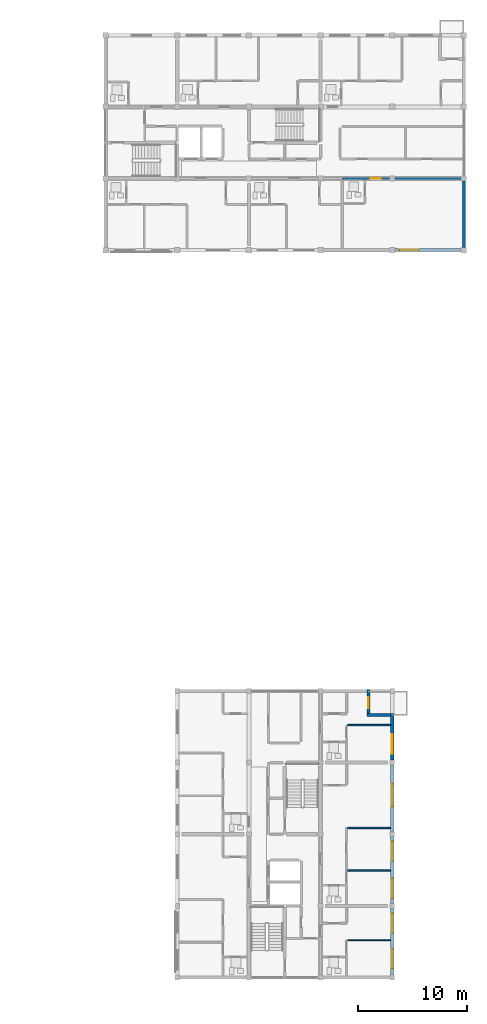
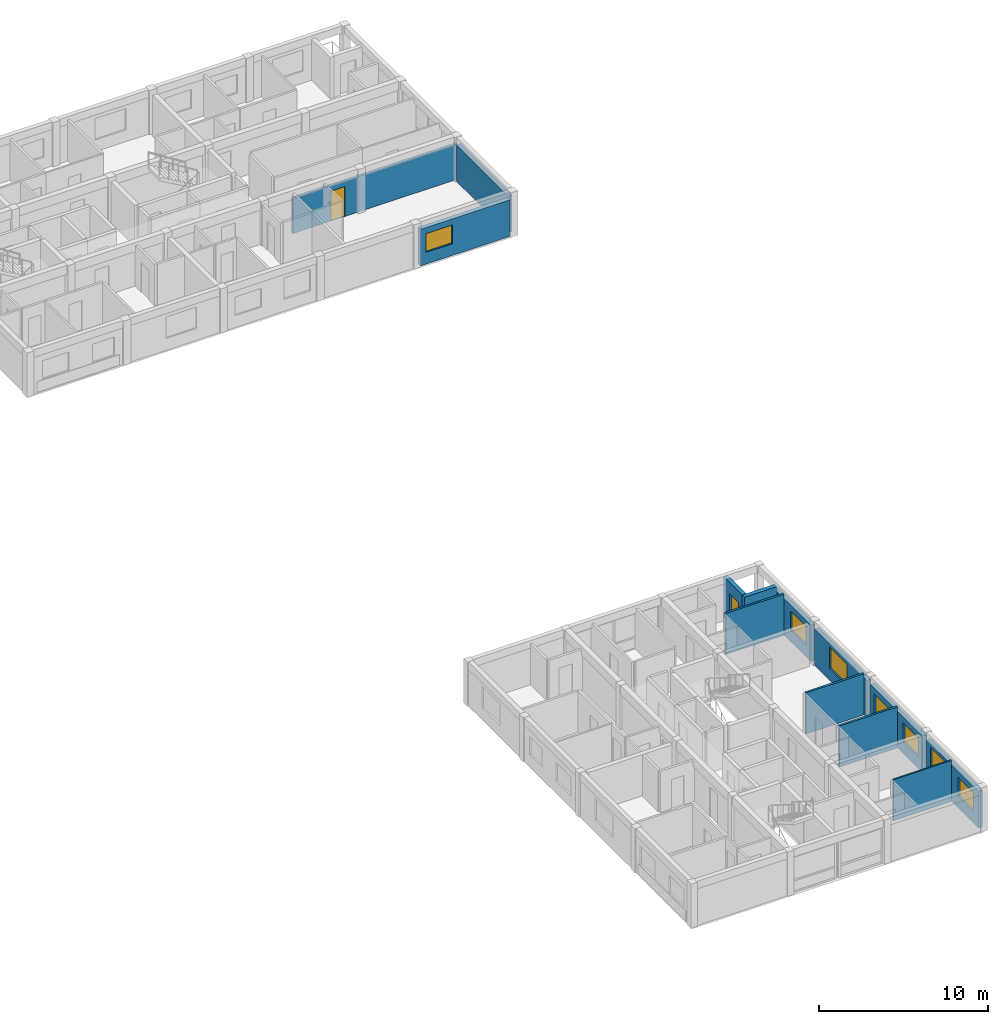
# One storey, part 37 of 46: 13 walls, 7 windows, 2 doors, 9 openings.
"""IFC4 building model written with IfcOpenShell, lengths in metres."""

from ifc_helpers import new_model, si_unit, direction, frame, frame_2d, origin, place, context, subcontext, project, spatial, rectangle, extrude, material, layer, layer_set, type_object, element, fill, save


model = new_model("IFC4")

# Units and contexts
model_context = context("Model", 3, precision=1e-05, world=origin(), true_north=direction((0.0, 1.0)))
body_context = subcontext(model_context, "Body", "Model", "MODEL_VIEW")
ifc_project = project(units=[si_unit("LENGTHUNIT", "METRE"), si_unit("AREAUNIT", "SQUARE_METRE"), si_unit("VOLUMEUNIT", "CUBIC_METRE"), si_unit("PLANEANGLEUNIT", "RADIAN"), si_unit("MASSUNIT", "GRAM", prefix="KILO")], contexts=[model_context])

# Site, building, storey
site_placement = place(None, origin())
site = spatial("IfcSite", under=ifc_project, at=site_placement, CompositionType="ELEMENT")
building_placement = place(site_placement, origin())
building = spatial("IfcBuilding", under=site, at=building_placement, Name="Kernevlak Ridge Housing Community", CompositionType="ELEMENT")
storey_placement = place(building_placement, frame((0.0, 0.0, 27.60009765625)))
storey = spatial("IfcBuildingStorey", under=building, at=storey_placement, Name="L08", CompositionType="ELEMENT", Elevation=27.60009765625)

# Wall, opening, window
ifc_material_1 = material(Name="Concrete block masonry M10", Category="masonry")
ifc_layer_1 = layer(ifc_material_1, 0.280029296875, Name="Concrete block masonry M10")
ifc_layer_set_1 = layer_set([ifc_layer_1], Name="Concrete block masonry M10")
wall_type_1 = type_object("IfcWallType", Name="EW-03", PredefinedType="STANDARD", material=ifc_layer_set_1)
wall_1_placement = place(storey_placement, frame((146.050048828125, 82.60009765625, 0.0), z_axis=(0.0, 0.0, 1.0), x_axis=(1.0, 0.0, 0.0)))
wall_1 = element("IfcWall", 1, at=wall_1_placement, inside=storey, type_object=wall_type_1, Name="Exterior wall EW-03 L08 423", PredefinedType="STANDARD", context=body_context, shape_type="SweptSolid", body=[
    extrude(rectangle(XDim=6.099853515625, YDim=0.280029296875, at=frame_2d((3.0498046875, 0.0))), origin(), (0.0, 0.0, 1.0), 2.64990234375),
])
opening_1_placement = place(wall_1_placement, frame((0.39990234375, 0.0, 0.85009765625)))
opening_1 = element("IfcOpeningElement", 2, at=opening_1_placement, cuts=wall_1, Name="Opening WT-03", PredefinedType="OPENING", context=body_context, shape_type="SweptSolid", body=[
    extrude(rectangle(XDim=1.800048828125, YDim=1.35009765625, at=frame_2d((0.89990234375, 0.675048828125))), frame((0.0, 0.14990234375, 0.0), z_axis=(0.0, -1.0, 0.0), x_axis=(1.0, 0.0, 0.0)), (0.0, 0.0, 1.0), 0.300048828125),
])
ifc_material_2 = material(Name="Aluminium EN AW-6060 anodised and laminated glass", Category="aluminium")
window_type_1 = type_object("IfcWindowType", Name="WT-03", PartitioningType="SINGLE_PANEL", PredefinedType="WINDOW", material=ifc_material_2)
window_1_placement = place(opening_1_placement, origin())
window_1 = element("IfcWindow", 3, at=window_1_placement, inside=storey, type_object=window_type_1, Name="Window WT-03 L08 327", OverallHeight=1.35009765625, OverallWidth=1.800048828125, PartitioningType="SINGLE_PANEL", PredefinedType="WINDOW", context=body_context, shape_type="SweptSolid", body=[
    extrude(rectangle(XDim=1.800048828125, YDim=1.35009765625, at=frame_2d((0.89990234375, 0.675048828125))), frame((0.0, 0.030029296875, 0.0), z_axis=(0.0, -1.0, 0.0), x_axis=(1.0, 0.0, 0.0)), (0.0, 0.0, 1.0), 0.06005859375),
])
fill(opening_1, window_1)

# Wall
wall_2_placement = place(storey_placement, frame((152.39990234375, 82.85009765625, 0.0), z_axis=(0.0, 0.0, 1.0), x_axis=(0.0, 1.0, 0.0)))
element("IfcWall", 4, at=wall_2_placement, inside=storey, type_object=wall_type_1, Name="Exterior wall EW-03 L08 433", PredefinedType="STANDARD", context=body_context, shape_type="SweptSolid", body=[
    extrude(rectangle(XDim=6.099853515625, YDim=0.280029296875, at=frame_2d((3.0498046875, 0.0))), origin(), (0.0, 0.0, 1.0), 2.64990234375),
])

# Wall, openings, windows
wall_3_placement = place(storey_placement, frame((145.800048828125, 15.824951171875, 0.0), z_axis=(0.0, 0.0, 1.0), x_axis=(0.0, 1.0, 0.0)))
wall_3 = element("IfcWall", 5, at=wall_3_placement, inside=storey, type_object=wall_type_1, Name="Exterior wall EW-03 L08 646", PredefinedType="STANDARD", context=body_context, shape_type="SweptSolid", body=[
    extrude(rectangle(XDim=6.150146484375, YDim=0.280029296875, at=frame_2d((3.0751953125, 0.0))), origin(), (0.0, 0.0, 1.0), 2.64990234375),
])
opening_2_placement = place(wall_3_placement, frame((0.60009765625, 0.0, 0.85009765625)))
opening_2 = element("IfcOpeningElement", 6, at=opening_2_placement, cuts=wall_3, Name="Opening WT-03", PredefinedType="OPENING", context=body_context, shape_type="SweptSolid", body=[
    extrude(rectangle(XDim=1.800048828125, YDim=1.35009765625, at=frame_2d((0.89990234375, 0.675048828125))), frame((0.0, 0.14990234375, 0.0), z_axis=(0.0, -1.0, 0.0), x_axis=(1.0, 0.0, 0.0)), (0.0, 0.0, 1.0), 0.300048828125),
])
opening_3_placement = place(wall_3_placement, frame((3.89990234375, 0.0, 0.85009765625)))
opening_3 = element("IfcOpeningElement", 7, at=opening_3_placement, cuts=wall_3, Name="Opening WT-04", PredefinedType="OPENING", context=body_context, shape_type="SweptSolid", body=[
    extrude(rectangle(XDim=1.800048828125, YDim=1.550048828125, at=frame_2d((0.89990234375, 0.77490234375))), frame((0.0, 0.14990234375, 0.0), z_axis=(0.0, -1.0, 0.0), x_axis=(1.0, 0.0, 0.0)), (0.0, 0.0, 1.0), 0.300048828125),
])
window_2_placement = place(opening_2_placement, origin())
window_2 = element("IfcWindow", 8, at=window_2_placement, inside=storey, type_object=window_type_1, Name="Window WT-03 L08 526", OverallHeight=1.35009765625, OverallWidth=1.800048828125, PartitioningType="SINGLE_PANEL", PredefinedType="WINDOW", context=body_context, shape_type="SweptSolid", body=[
    extrude(rectangle(XDim=1.800048828125, YDim=1.35009765625, at=frame_2d((0.89990234375, 0.675048828125))), frame((0.0, 0.030029296875, 0.0), z_axis=(0.0, -1.0, 0.0), x_axis=(1.0, 0.0, 0.0)), (0.0, 0.0, 1.0), 0.06005859375),
])
fill(opening_2, window_2)
window_type_2 = type_object("IfcWindowType", Name="WT-04", PartitioningType="SINGLE_PANEL", PredefinedType="WINDOW", material=ifc_material_2)
window_3_placement = place(opening_3_placement, origin())
window_3 = element("IfcWindow", 9, at=window_3_placement, inside=storey, type_object=window_type_2, Name="Window WT-04 L08 527", OverallHeight=1.550048828125, OverallWidth=1.800048828125, PartitioningType="SINGLE_PANEL", PredefinedType="WINDOW", context=body_context, shape_type="SweptSolid", body=[
    extrude(rectangle(XDim=1.800048828125, YDim=1.550048828125, at=frame_2d((0.89990234375, 0.77490234375))), frame((0.0, 0.030029296875, 0.0), z_axis=(0.0, -1.0, 0.0), x_axis=(1.0, 0.0, 0.0)), (0.0, 0.0, 1.0), 0.06005859375),
])
fill(opening_3, window_3)

wall_4_placement = place(storey_placement, frame((145.800048828125, 22.425048828125, 0.0), z_axis=(0.0, 0.0, 1.0), x_axis=(0.0, 1.0, 0.0)))
wall_4 = element("IfcWall", 10, at=wall_4_placement, inside=storey, type_object=wall_type_1, Name="Exterior wall EW-03 L08 647", PredefinedType="STANDARD", context=body_context, shape_type="SweptSolid", body=[
    extrude(rectangle(XDim=6.14990234375, YDim=0.280029296875, at=frame_2d((3.074951171875, 0.0))), origin(), (0.0, 0.0, 1.0), 2.64990234375),
])
opening_4_placement = place(wall_4_placement, frame((0.5, 0.0, 0.85009765625)))
opening_4 = element("IfcOpeningElement", 11, at=opening_4_placement, cuts=wall_4, Name="Opening WT-03", PredefinedType="OPENING", context=body_context, shape_type="SweptSolid", body=[
    extrude(rectangle(XDim=1.800048828125, YDim=1.35009765625, at=frame_2d((0.89990234375, 0.675048828125))), frame((0.0, 0.14990234375, 0.0), z_axis=(0.0, -1.0, 0.0), x_axis=(1.0, 0.0, 0.0)), (0.0, 0.0, 1.0), 0.300048828125),
])
opening_5_placement = place(wall_4_placement, frame((3.925048828125, 0.0, 0.85009765625)))
opening_5 = element("IfcOpeningElement", 12, at=opening_5_placement, cuts=wall_4, Name="Opening WT-03", PredefinedType="OPENING", context=body_context, shape_type="SweptSolid", body=[
    extrude(rectangle(XDim=1.800048828125, YDim=1.35009765625, at=frame_2d((0.89990234375, 0.675048828125))), frame((0.0, 0.14990234375, 0.0), z_axis=(0.0, -1.0, 0.0), x_axis=(1.0, 0.0, 0.0)), (0.0, 0.0, 1.0), 0.300048828125),
])
window_4_placement = place(opening_4_placement, origin())
window_4 = element("IfcWindow", 13, at=window_4_placement, inside=storey, type_object=window_type_1, Name="Window WT-03 L08 528", OverallHeight=1.35009765625, OverallWidth=1.800048828125, PartitioningType="SINGLE_PANEL", PredefinedType="WINDOW", context=body_context, shape_type="SweptSolid", body=[
    extrude(rectangle(XDim=1.800048828125, YDim=1.35009765625, at=frame_2d((0.89990234375, 0.675048828125))), frame((0.0, 0.030029296875, 0.0), z_axis=(0.0, -1.0, 0.0), x_axis=(1.0, 0.0, 0.0)), (0.0, 0.0, 1.0), 0.06005859375),
])
fill(opening_4, window_4)
window_5_placement = place(opening_5_placement, origin())
window_5 = element("IfcWindow", 14, at=window_5_placement, inside=storey, type_object=window_type_1, Name="Window WT-03 L08 529", OverallHeight=1.35009765625, OverallWidth=1.800048828125, PartitioningType="SINGLE_PANEL", PredefinedType="WINDOW", context=body_context, shape_type="SweptSolid", body=[
    extrude(rectangle(XDim=1.800048828125, YDim=1.35009765625, at=frame_2d((0.89990234375, 0.675048828125))), frame((0.0, 0.030029296875, 0.0), z_axis=(0.0, -1.0, 0.0), x_axis=(1.0, 0.0, 0.0)), (0.0, 0.0, 1.0), 0.06005859375),
])
fill(opening_5, window_5)

# Wall, opening, window
wall_5_placement = place(storey_placement, frame((145.800048828125, 29.02490234375, 0.0), z_axis=(0.0, 0.0, 1.0), x_axis=(0.0, 1.0, 0.0)))
wall_5 = element("IfcWall", 15, at=wall_5_placement, inside=storey, type_object=wall_type_1, Name="Exterior wall EW-03 L08 648", PredefinedType="STANDARD", context=body_context, shape_type="SweptSolid", body=[
    extrude(rectangle(XDim=6.150146484375, YDim=0.280029296875, at=frame_2d((3.0751953125, 0.0))), origin(), (0.0, 0.0, 1.0), 2.64990234375),
])
opening_6_placement = place(wall_5_placement, frame((2.321044921875, 0.0, 0.85009765625)))
opening_6 = element("IfcOpeningElement", 16, at=opening_6_placement, cuts=wall_5, Name="Opening WT-05", PredefinedType="OPENING", context=body_context, shape_type="SweptSolid", body=[
    extrude(rectangle(XDim=2.10009765625, YDim=1.550048828125, at=frame_2d((1.050048828125, 0.77490234375))), frame((0.0, 0.14990234375, 0.0), z_axis=(0.0, -1.0, 0.0), x_axis=(1.0, 0.0, 0.0)), (0.0, 0.0, 1.0), 0.300048828125),
])
window_type_3 = type_object("IfcWindowType", Name="WT-05", PartitioningType="SINGLE_PANEL", PredefinedType="WINDOW", material=ifc_material_2)
window_6_placement = place(opening_6_placement, origin())
window_6 = element("IfcWindow", 17, at=window_6_placement, inside=storey, type_object=window_type_3, Name="Window WT-05 L08 530", OverallHeight=1.550048828125, OverallWidth=2.10009765625, PartitioningType="SINGLE_PANEL", PredefinedType="WINDOW", context=body_context, shape_type="SweptSolid", body=[
    extrude(rectangle(XDim=2.10009765625, YDim=1.550048828125, at=frame_2d((1.050048828125, 0.77490234375))), frame((0.0, 0.030029296875, 0.0), z_axis=(0.0, -1.0, 0.0), x_axis=(1.0, 0.0, 0.0)), (0.0, 0.0, 1.0), 0.06005859375),
])
fill(opening_6, window_6)

wall_6_placement = place(storey_placement, frame((145.800048828125, 35.625, 0.0), z_axis=(0.0, 0.0, 1.0), x_axis=(0.0, 1.0, 0.0)))
wall_6 = element("IfcWall", 18, at=wall_6_placement, inside=storey, type_object=wall_type_1, Name="Exterior wall EW-03 L08 649", PredefinedType="STANDARD", context=body_context, shape_type="SweptSolid", body=[
    extrude(rectangle(XDim=4.31494140625, YDim=0.280029296875, at=frame_2d((2.157470703125, 0.0))), origin(), (0.0, 0.0, 1.0), 2.64990234375),
])
opening_7_placement = place(wall_6_placement, frame((0.60009765625, 0.0, 0.85009765625)))
opening_7 = element("IfcOpeningElement", 19, at=opening_7_placement, cuts=wall_6, Name="Opening WT-03", PredefinedType="OPENING", context=body_context, shape_type="SweptSolid", body=[
    extrude(rectangle(XDim=1.800048828125, YDim=1.35009765625, at=frame_2d((0.89990234375, 0.675048828125))), frame((0.0, 0.14990234375, 0.0), z_axis=(0.0, -1.0, 0.0), x_axis=(1.0, 0.0, 0.0)), (0.0, 0.0, 1.0), 0.300048828125),
])
window_7_placement = place(opening_7_placement, origin())
window_7 = element("IfcWindow", 20, at=window_7_placement, inside=storey, type_object=window_type_1, Name="Window WT-03 L08 531", OverallHeight=1.35009765625, OverallWidth=1.800048828125, PartitioningType="SINGLE_PANEL", PredefinedType="WINDOW", context=body_context, shape_type="SweptSolid", body=[
    extrude(rectangle(XDim=1.800048828125, YDim=1.35009765625, at=frame_2d((0.89990234375, 0.675048828125))), frame((0.0, 0.030029296875, 0.0), z_axis=(0.0, -1.0, 0.0), x_axis=(1.0, 0.0, 0.0)), (0.0, 0.0, 1.0), 0.06005859375),
])
fill(opening_7, window_7)

# Wall
wall_7_placement = place(storey_placement, frame((145.659912109375, 39.800048828125, 0.0), z_axis=(0.0, 0.0, 1.0), x_axis=(-1.0, 0.0, 0.0)))
element("IfcWall", 21, at=wall_7_placement, inside=storey, type_object=wall_type_1, Name="Exterior wall EW-03 L08 650", PredefinedType="STANDARD", context=body_context, shape_type="SweptSolid", body=[
    extrude(rectangle(XDim=2.199951171875, YDim=0.280029296875, at=frame_2d((1.10009765625, 0.0))), origin(), (0.0, 0.0, 1.0), 2.969970703125),
])

# Wall, opening, door
wall_8_placement = place(storey_placement, frame((143.60009765625, 39.93994140625, 0.0), z_axis=(0.0, 0.0, 1.0), x_axis=(0.0, 1.0, 0.0)))
wall_8 = element("IfcWall", 22, at=wall_8_placement, inside=storey, type_object=wall_type_1, Name="Exterior wall EW-03 L08 651", PredefinedType="STANDARD", context=body_context, shape_type="SweptSolid", body=[
    extrude(rectangle(XDim=2.199951171875, YDim=0.280029296875, at=frame_2d((1.10009765625, 0.0))), origin(), (0.0, 0.0, 1.0), 2.969970703125),
])
opening_8_placement = place(wall_8_placement, frame((0.449951171875, 0.0, 0.0)))
opening_8 = element("IfcOpeningElement", 23, at=opening_8_placement, cuts=wall_8, Name="Opening E353", PredefinedType="OPENING", context=body_context, shape_type="SweptSolid", body=[
    extrude(rectangle(XDim=1.02001953125, YDim=2.159912109375, at=frame_2d((0.510009765625, 1.080078125))), frame((0.0, 0.14990234375, 0.0), z_axis=(0.0, -1.0, 0.0), x_axis=(1.0, 0.0, 0.0)), (0.0, 0.0, 1.0), 0.300048828125),
])
ifc_material_3 = material(Name="Aluminium EN AW-6060 and laminated safety glass", Category="aluminium")
door_type_1 = type_object("IfcDoorType", Name="DT-33", OperationType="NOTDEFINED", PredefinedType="DOOR", material=ifc_material_3)
door_1_placement = place(opening_8_placement, origin())
door_1 = element("IfcDoor", 24, at=door_1_placement, inside=storey, type_object=door_type_1, Name="Flat C0823 corner balcony glazed door E353", OperationType="SINGLE_SWING_RIGHT", OverallHeight=2.159912109375, OverallWidth=1.02001953125, PredefinedType="DOOR", context=body_context, shape_type="SweptSolid", body=[
    extrude(rectangle(XDim=1.02001953125, YDim=2.159912109375, at=frame_2d((0.510009765625, 1.080078125))), frame((0.0, 0.02490234375, 0.0), z_axis=(0.0, -1.0, 0.0), x_axis=(1.0, 0.0, 0.0)), (0.0, 0.0, 1.0), 0.050048828125),
])
fill(opening_8, door_1)

ifc_layer_2 = layer(ifc_material_1, 0.175048828125, Name="Concrete block masonry M10")
ifc_layer_set_2 = layer_set([ifc_layer_2], Name="Concrete block masonry M10")
wall_type_2 = type_object("IfcWallType", Name="PW-02", PredefinedType="PARTITIONING", material=ifc_layer_set_2)
wall_9_placement = place(storey_placement, frame((141.199951171875, 89.199951171875, 0.0), z_axis=(0.0, 0.0, 1.0), x_axis=(1.0, 0.0, 0.0)))
wall_9 = element("IfcWall", 25, at=wall_9_placement, inside=storey, type_object=wall_type_2, Name="Interior wall PW-02 WAL-INT-L08-1677", PredefinedType="PARTITIONING", context=body_context, shape_type="SweptSolid", body=[
    extrude(rectangle(XDim=11.199951171875, YDim=0.175048828125, at=frame_2d((5.60009765625, 0.0))), origin(), (0.0, 0.0, 1.0), 2.5498046875),
])
opening_9_placement = place(wall_9_placement, frame((2.60009765625, 0.0, 0.0)))
opening_9 = element("IfcOpeningElement", 26, at=opening_9_placement, cuts=wall_9, Name="Opening D848", PredefinedType="OPENING", context=body_context, shape_type="SweptSolid", body=[
    extrude(rectangle(XDim=0.949951171875, YDim=2.159912109375, at=frame_2d((0.47509765625, 1.080078125))), frame((0.0, 0.097412109375, 0.0), z_axis=(0.0, -1.0, 0.0), x_axis=(1.0, 0.0, 0.0)), (0.0, 0.0, 1.0), 0.195068359375),
])
ifc_material_4 = material(Name="Hardwood timber solid-core fire leaf", Category="wood")
door_type_2 = type_object("IfcDoorType", Name="DT-02", OperationType="NOTDEFINED", PredefinedType="DOOR", material=ifc_material_4)
door_2_placement = place(opening_9_placement, origin())
door_2 = element("IfcDoor", 27, at=door_2_placement, inside=storey, type_object=door_type_2, Name="Flat B0813 entrance fire door D848", OperationType="SINGLE_SWING_RIGHT", OverallHeight=2.159912109375, OverallWidth=0.949951171875, PredefinedType="DOOR", context=body_context, shape_type="SweptSolid", body=[
    extrude(rectangle(XDim=0.949951171875, YDim=2.159912109375, at=frame_2d((0.47509765625, 1.080078125))), frame((0.0, 0.02490234375, 0.0), z_axis=(0.0, -1.0, 0.0), x_axis=(1.0, 0.0, 0.0)), (0.0, 0.0, 1.0), 0.050048828125),
])
fill(opening_9, door_2)

# Walls
ifc_layer_3 = layer(ifc_material_1, 0.14501953125, Name="Concrete block masonry M10")
ifc_layer_set_3 = layer_set([ifc_layer_3], Name="Concrete block masonry M10")
wall_type_3 = type_object("IfcWallType", Name="PW-03", PredefinedType="PARTITIONING", material=ifc_layer_set_3)
for number, where, z_axis, x_axis, name in (
    (28, (141.6826171875, 25.449951171875, 0.0), (0.0, 0.0, 1.0), (1.0, 0.0, 0.0), "Interior wall PW-03 WAL-INT-L08-2658"),
    (29, (141.6826171875, 29.39208984375, 0.0), (0.0, 0.0, 1.0), (1.0, 0.0, 0.0), "Interior wall PW-03 WAL-INT-L08-2660"),
):
    element("IfcWall", number, at=place(storey_placement, frame(where, z_axis=z_axis, x_axis=x_axis)), inside=storey, type_object=wall_type_3, Name=name, PredefinedType="PARTITIONING", context=body_context, shape_type="SweptSolid", body=[
        extrude(rectangle(XDim=3.96728515625, YDim=0.14501953125, at=frame_2d((1.983642578125, 0.0))), origin(), (0.0, 0.0, 1.0), 2.969970703125),
    ])
wall_10_placement = place(storey_placement, frame((141.679931640625, 38.85009765625, 0.0), z_axis=(0.0, 0.0, 1.0), x_axis=(1.0, 0.0, 0.0)))
element("IfcWall", 30, at=wall_10_placement, inside=storey, type_object=wall_type_3, Name="Interior wall PW-03 WAL-INT-L08-2667", PredefinedType="PARTITIONING", context=body_context, shape_type="SweptSolid", body=[
    extrude(rectangle(XDim=3.969970703125, YDim=0.14501953125, at=frame_2d((1.98486328125, 0.0))), origin(), (0.0, 0.0, 1.0), 2.969970703125),
])
ifc_material_5 = material(Name="Gypsum plasterboard EN 520", Category="gypsum")
ifc_layer_4 = layer(ifc_material_5, 0.10498046875, Name="Gypsum plasterboard EN 520")
ifc_layer_set_4 = layer_set([ifc_layer_4], Name="Gypsum plasterboard EN 520")
wall_type_4 = type_object("IfcWallType", Name="PW-06", PredefinedType="PARTITIONING", material=ifc_layer_set_4)
wall_11_placement = place(storey_placement, frame((141.6826171875, 19.050048828125, 0.0), z_axis=(0.0, 0.0, 1.0), x_axis=(1.0, 0.0, 0.0)))
element("IfcWall", 31, at=wall_11_placement, inside=storey, type_object=wall_type_4, Name="Interior wall PW-06 WAL-INT-L08-2651", PredefinedType="PARTITIONING", context=body_context, shape_type="SweptSolid", body=[
    extrude(rectangle(XDim=3.96728515625, YDim=0.10498046875, at=frame_2d((1.983642578125, 0.0))), origin(), (0.0, 0.0, 1.0), 2.969970703125),
])

save(model, "model.ifc")
